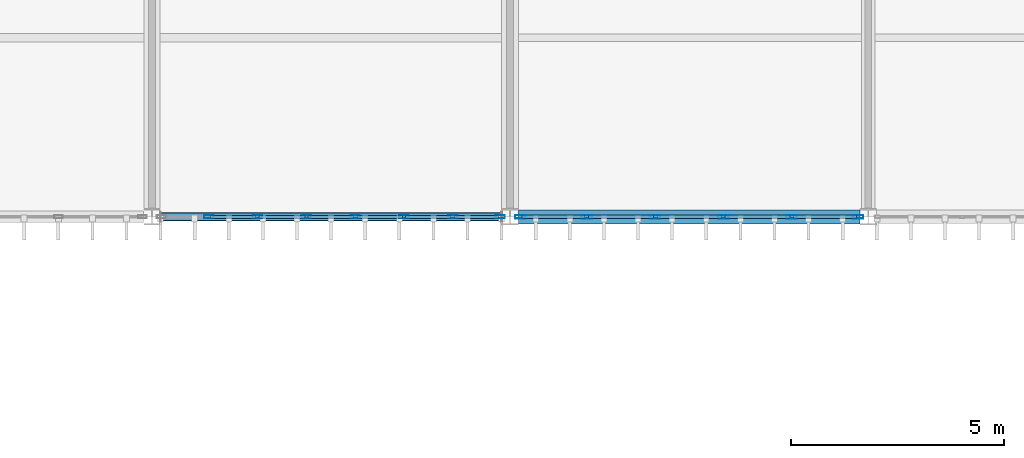
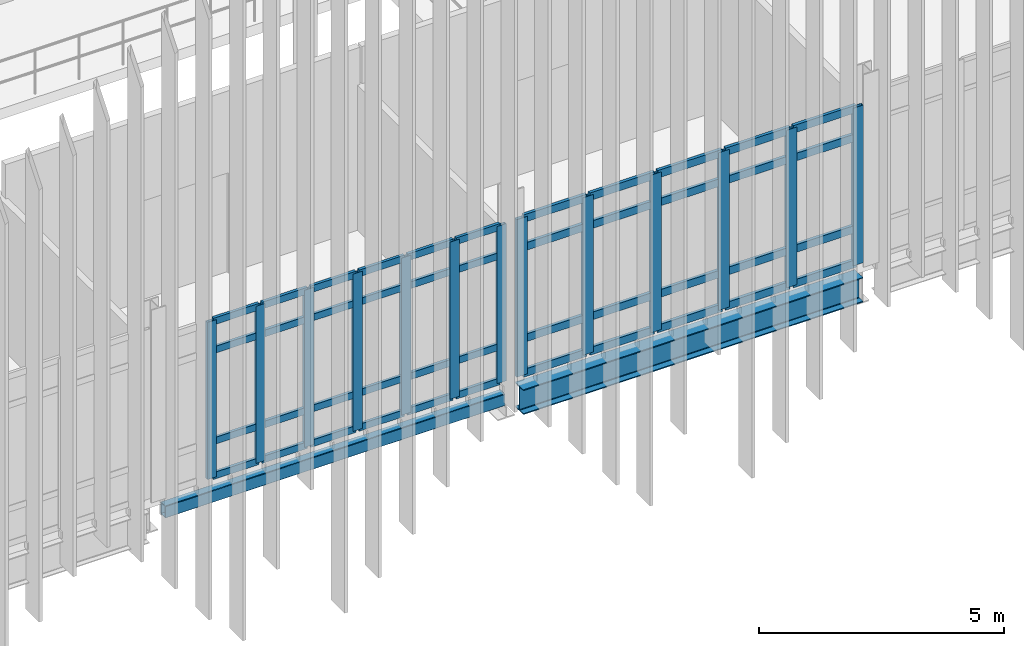
# One storey, part 21 of 153: 57 members, 2 beams, 2 elements without a shape of their own.
"""IFC4 building model written with IfcOpenShell, lengths in metres."""

from ifc_helpers import new_model, si_unit, direction, frame, origin, origin_2d, place, context, subcontext, project, spatial, hollow_rectangle, i_section, extrude, material, layer, layer_set, material_profile, profile_set, type_object, element, aggregate, save


model = new_model("IFC4")

# Units and contexts
model_context = context("Model", 3, precision=1e-05, world=origin(), true_north=direction((0.0, 1.0)))
body_context = subcontext(model_context, "Body", "Model", "MODEL_VIEW")
ifc_project = project(units=[si_unit("LENGTHUNIT", "METRE"), si_unit("AREAUNIT", "SQUARE_METRE"), si_unit("VOLUMEUNIT", "CUBIC_METRE"), si_unit("PLANEANGLEUNIT", "RADIAN"), si_unit("MASSUNIT", "GRAM", prefix="KILO")], contexts=[model_context])

# Site, building, storey
site_placement = place(None, origin())
site = spatial("IfcSite", under=ifc_project, at=site_placement, CompositionType="ELEMENT")
building_placement = place(site_placement, origin())
building = spatial("IfcBuilding", under=site, at=building_placement, Name="Calvrana Isthmian Art Gallery", CompositionType="ELEMENT")
storey_placement = place(building_placement, frame((0.0, 0.0, 10.199951171875)))
storey = spatial("IfcBuildingStorey", under=building, at=storey_placement, Name="L02", CompositionType="ELEMENT", Elevation=10.199951171875)

# Beams
ifc_material_1 = material(Name="Steel ASTM A992 Gr 50", Category="steel")
ifc_material_profile_1 = material_profile(ifc_material_1, i_section(OverallWidth=0.327880859375, OverallDepth=0.6220703125, WebThickness=0.015380859375, FlangeThickness=0.0244140625, FilletRadius=0.02197265625, at=origin_2d()), Name="W24X131")
ifc_profile_set_1 = profile_set([ifc_material_profile_1], Name="Steel ASTM A992 Gr 50")
beam_type_1 = type_object("IfcBeamType", Name="BM-G-W24X131", PredefinedType="BEAM", material=ifc_profile_set_1)
beam_1_placement = place(storey_placement, frame((55.39794921875, 21.60009765625, -0.575927734375), z_axis=(1.0, 0.0, 0.0), x_axis=(0.0, 1.0, 0.0)))
element("IfcBeam", 1, at=beam_1_placement, inside=storey, type_object=beam_type_1, Name="Girder X L02 08-09/D", PredefinedType="BEAM", context=body_context, shape_type="SweptSolid", body=[
    extrude(i_section(OverallWidth=0.327880859375, OverallDepth=0.6220703125, WebThickness=0.015380859375, FlangeThickness=0.0244140625, FilletRadius=0.02197265625, at=origin_2d()), origin(), (0.0, 0.0, 1.0), 8.005126953125),
])
ifc_material_2 = material(Name="Steel ASTM A500 Gr C", Category="steel")
ifc_material_profile_2 = material_profile(ifc_material_2, hollow_rectangle(XDim=0.203125, YDim=0.3046875, WallThickness=0.0126953125, OuterFilletRadius=0.02490234375, at=origin_2d()), Name="HSS305X203X12.7")
ifc_profile_set_2 = profile_set([ifc_material_profile_2], Name="Steel ASTM A500 Gr C")
beam_type_2 = type_object("IfcBeamType", Name="BM-SP-HSS305", PredefinedType="SPANDREL", material=ifc_profile_set_2)
beam_2_placement = place(storey_placement, frame((46.99951171875, 21.60009765625, -0.417236328125), z_axis=(1.0, 0.0, 0.0), x_axis=(0.0, 1.0, 0.0)))
element("IfcBeam", 2, at=beam_2_placement, inside=storey, type_object=beam_type_2, Name="Girder X L02 07-08/D", PredefinedType="SPANDREL", context=body_context, shape_type="SweptSolid", body=[
    extrude(hollow_rectangle(XDim=0.203125, YDim=0.3046875, WallThickness=0.0126953125, OuterFilletRadius=0.02490234375, at=origin_2d()), origin(), (0.0, 0.0, 1.0), 8.00244140625),
])

# Curtain wall, members
ifc_material_3 = material(Name="Anodized bronze aluminium 6063-T6", Category="aluminium")
ifc_layer = layer(ifc_material_3, 0.179931640625, Name="Anodized bronze aluminium 6063-T6")
ifc_layer_set = layer_set([ifc_layer], Name="Anodized bronze aluminium 6063-T6")
curtain_wall_type = type_object("IfcCurtainWallType", Name="CW-STICK-080X39", PredefinedType="NOTDEFINED", material=ifc_layer_set)
curtain_wall_1_placement = place(storey_placement, origin())
curtain_wall_1 = element("IfcCurtainWall", 3, at=curtain_wall_1_placement, inside=storey, type_object=curtain_wall_type, Name="Curtain wall CW-148", PredefinedType="NOTDEFINED")
ifc_material_profile_3 = material_profile(ifc_material_3, hollow_rectangle(XDim=0.074951171875, YDim=0.219970703125, WallThickness=0.0048828125, at=origin_2d()), Name="CWM75X220")
ifc_profile_set_3 = profile_set([ifc_material_profile_3], Name="Anodized bronze aluminium 6063-T6")
member_type_1 = type_object("IfcMemberType", Name="CWM-CWM75X220", PredefinedType="MULLION", material=ifc_profile_set_3)
member_1_placement = place(storey_placement, frame((54.962890625, 21.60009765625, 0.0), z_axis=(0.0, 0.0, 1.0), x_axis=(0.0, -1.0, 0.0)))
member_1 = element("IfcMember", 4, at=member_1_placement, type_object=member_type_1, Name="CW-148 mullion 1", PredefinedType="MULLION", context=body_context, shape_type="SweptSolid", body=[
    extrude(hollow_rectangle(XDim=0.074951171875, YDim=0.219970703125, WallThickness=0.0048828125, at=origin_2d()), origin(), (0.0, 0.0, 1.0), 3.91796875),
])
member_2_placement = place(storey_placement, frame((53.855712890625, 21.60009765625, 0.0), z_axis=(0.0, 0.0, 1.0), x_axis=(0.0, -1.0, 0.0)))
member_2 = element("IfcMember", 5, at=member_2_placement, type_object=member_type_1, Name="CW-148 mullion 2", PredefinedType="MULLION", context=body_context, shape_type="SweptSolid", body=[
    extrude(hollow_rectangle(XDim=0.074951171875, YDim=0.219970703125, WallThickness=0.0048828125, at=origin_2d()), origin(), (0.0, 0.0, 1.0), 3.91796875),
])
member_3_placement = place(storey_placement, frame((52.710693359375, 21.60009765625, 0.0), z_axis=(0.0, 0.0, 1.0), x_axis=(0.0, -1.0, 0.0)))
member_3 = element("IfcMember", 6, at=member_3_placement, type_object=member_type_1, Name="CW-148 mullion 3", PredefinedType="MULLION", context=body_context, shape_type="SweptSolid", body=[
    extrude(hollow_rectangle(XDim=0.074951171875, YDim=0.219970703125, WallThickness=0.0048828125, at=origin_2d()), origin(), (0.0, 0.0, 1.0), 3.91796875),
])
member_4_placement = place(storey_placement, frame((51.56591796875, 21.60009765625, 0.0), z_axis=(0.0, 0.0, 1.0), x_axis=(0.0, -1.0, 0.0)))
member_4 = element("IfcMember", 7, at=member_4_placement, type_object=member_type_1, Name="CW-148 mullion 4", PredefinedType="MULLION", context=body_context, shape_type="SweptSolid", body=[
    extrude(hollow_rectangle(XDim=0.074951171875, YDim=0.219970703125, WallThickness=0.0048828125, at=origin_2d()), origin(), (0.0, 0.0, 1.0), 3.91796875),
])
member_5_placement = place(storey_placement, frame((50.421142578125, 21.60009765625, 0.0), z_axis=(0.0, 0.0, 1.0), x_axis=(0.0, -1.0, 0.0)))
member_5 = element("IfcMember", 8, at=member_5_placement, type_object=member_type_1, Name="CW-148 mullion 5", PredefinedType="MULLION", context=body_context, shape_type="SweptSolid", body=[
    extrude(hollow_rectangle(XDim=0.074951171875, YDim=0.219970703125, WallThickness=0.0048828125, at=origin_2d()), origin(), (0.0, 0.0, 1.0), 3.91796875),
])
member_6_placement = place(storey_placement, frame((49.276123046875, 21.60009765625, 0.0), z_axis=(0.0, 0.0, 1.0), x_axis=(0.0, -1.0, 0.0)))
member_6 = element("IfcMember", 9, at=member_6_placement, type_object=member_type_1, Name="CW-148 mullion 6", PredefinedType="MULLION", context=body_context, shape_type="SweptSolid", body=[
    extrude(hollow_rectangle(XDim=0.074951171875, YDim=0.219970703125, WallThickness=0.0048828125, at=origin_2d()), origin(), (0.0, 0.0, 1.0), 3.91796875),
])
member_7_placement = place(storey_placement, frame((48.13134765625, 21.60009765625, 0.0), z_axis=(0.0, 0.0, 1.0), x_axis=(0.0, -1.0, 0.0)))
member_7 = element("IfcMember", 10, at=member_7_placement, type_object=member_type_1, Name="CW-148 mullion 7", PredefinedType="MULLION", context=body_context, shape_type="SweptSolid", body=[
    extrude(hollow_rectangle(XDim=0.074951171875, YDim=0.219970703125, WallThickness=0.0048828125, at=origin_2d()), origin(), (0.0, 0.0, 1.0), 3.91796875),
])

curtain_wall_2_placement = place(storey_placement, origin())
curtain_wall_2 = element("IfcCurtainWall", 11, at=curtain_wall_2_placement, inside=storey, type_object=curtain_wall_type, Name="Curtain wall CW-149", PredefinedType="NOTDEFINED")
ifc_material_profile_4 = material_profile(ifc_material_3, hollow_rectangle(XDim=0.080078125, YDim=0.25, WallThickness=0.005615234375, at=origin_2d()), Name="CWM80X250")
ifc_profile_set_4 = profile_set([ifc_material_profile_4], Name="Anodized bronze aluminium 6063-T6")
member_type_2 = type_object("IfcMemberType", Name="CWM-CWM80X250", PredefinedType="MULLION", material=ifc_profile_set_4)
member_8_placement = place(storey_placement, frame((63.362060546875, 21.60009765625, 0.0), z_axis=(0.0, 0.0, 1.0), x_axis=(0.0, -1.0, 0.0)))
member_8 = element("IfcMember", 12, at=member_8_placement, type_object=member_type_2, Name="CW-149 mullion 1", PredefinedType="MULLION", context=body_context, shape_type="SweptSolid", body=[
    extrude(hollow_rectangle(XDim=0.080078125, YDim=0.25, WallThickness=0.005615234375, at=origin_2d()), origin(), (0.0, 0.0, 1.0), 3.927978515625),
])
member_9_placement = place(storey_placement, frame((61.801513671875, 21.60009765625, 0.0), z_axis=(0.0, 0.0, 1.0), x_axis=(0.0, -1.0, 0.0)))
member_9 = element("IfcMember", 13, at=member_9_placement, type_object=member_type_2, Name="CW-149 mullion 2", PredefinedType="MULLION", context=body_context, shape_type="SweptSolid", body=[
    extrude(hollow_rectangle(XDim=0.080078125, YDim=0.25, WallThickness=0.005615234375, at=origin_2d()), origin(), (0.0, 0.0, 1.0), 3.927978515625),
])
member_10_placement = place(storey_placement, frame((60.200927734375, 21.60009765625, 0.0), z_axis=(0.0, 0.0, 1.0), x_axis=(0.0, -1.0, 0.0)))
member_10 = element("IfcMember", 14, at=member_10_placement, type_object=member_type_2, Name="CW-149 mullion 3", PredefinedType="MULLION", context=body_context, shape_type="SweptSolid", body=[
    extrude(hollow_rectangle(XDim=0.080078125, YDim=0.25, WallThickness=0.005615234375, at=origin_2d()), origin(), (0.0, 0.0, 1.0), 3.927978515625),
])
member_11_placement = place(storey_placement, frame((58.6005859375, 21.60009765625, 0.0), z_axis=(0.0, 0.0, 1.0), x_axis=(0.0, -1.0, 0.0)))
member_11 = element("IfcMember", 15, at=member_11_placement, type_object=member_type_2, Name="CW-149 mullion 4", PredefinedType="MULLION", context=body_context, shape_type="SweptSolid", body=[
    extrude(hollow_rectangle(XDim=0.080078125, YDim=0.25, WallThickness=0.005615234375, at=origin_2d()), origin(), (0.0, 0.0, 1.0), 3.927978515625),
])
member_12_placement = place(storey_placement, frame((57.0, 21.60009765625, 0.0), z_axis=(0.0, 0.0, 1.0), x_axis=(0.0, -1.0, 0.0)))
member_12 = element("IfcMember", 16, at=member_12_placement, type_object=member_type_2, Name="CW-149 mullion 5", PredefinedType="MULLION", context=body_context, shape_type="SweptSolid", body=[
    extrude(hollow_rectangle(XDim=0.080078125, YDim=0.25, WallThickness=0.005615234375, at=origin_2d()), origin(), (0.0, 0.0, 1.0), 3.927978515625),
])
member_13_placement = place(storey_placement, frame((55.439453125, 21.60009765625, 0.0), z_axis=(0.0, 0.0, 1.0), x_axis=(0.0, -1.0, 0.0)))
member_13 = element("IfcMember", 17, at=member_13_placement, type_object=member_type_2, Name="CW-149 mullion 6", PredefinedType="MULLION", context=body_context, shape_type="SweptSolid", body=[
    extrude(hollow_rectangle(XDim=0.080078125, YDim=0.25, WallThickness=0.005615234375, at=origin_2d()), origin(), (0.0, 0.0, 1.0), 3.927978515625),
])

# Member
ifc_material_profile_5 = material_profile(ifc_material_3, hollow_rectangle(XDim=0.070068359375, YDim=0.169921875, WallThickness=0.00439453125, at=origin_2d()), Name="CWT70X170")
ifc_profile_set_5 = profile_set([ifc_material_profile_5], Name="Anodized bronze aluminium 6063-T6")
member_type_3 = type_object("IfcMemberType", Name="CWT-CWT70X170", PredefinedType="USERDEFINED", material=ifc_profile_set_5)
member_14_placement = place(storey_placement, frame((54.925537109375, 21.60009765625, 0.03515625), z_axis=(-1.0, 0.0, 0.0), x_axis=(0.0, -1.0, 0.0)))
member_14 = element("IfcMember", 18, at=member_14_placement, type_object=member_type_3, Name="CW-148 transom 1.1", ObjectType="TRANSOM", PredefinedType="USERDEFINED", context=body_context, shape_type="SweptSolid", body=[
    extrude(hollow_rectangle(XDim=0.070068359375, YDim=0.169921875, WallThickness=0.00439453125, at=origin_2d()), origin(), (0.0, 0.0, 1.0), 1.032470703125),
])

member_15_placement = place(storey_placement, frame((54.925537109375, 21.60009765625, 0.900146484375), z_axis=(-1.0, 0.0, 0.0), x_axis=(0.0, -1.0, 0.0)))
member_15 = element("IfcMember", 19, at=member_15_placement, type_object=member_type_3, Name="CW-148 transom 1.2", ObjectType="TRANSOM", PredefinedType="USERDEFINED", context=body_context, shape_type="SweptSolid", body=[
    extrude(hollow_rectangle(XDim=0.070068359375, YDim=0.169921875, WallThickness=0.00439453125, at=origin_2d()), origin(), (0.0, 0.0, 1.0), 1.032470703125),
])

member_16_placement = place(storey_placement, frame((54.925537109375, 21.60009765625, 3.16796875), z_axis=(-1.0, 0.0, 0.0), x_axis=(0.0, -1.0, 0.0)))
member_16 = element("IfcMember", 20, at=member_16_placement, type_object=member_type_3, Name="CW-148 transom 1.3", ObjectType="TRANSOM", PredefinedType="USERDEFINED", context=body_context, shape_type="SweptSolid", body=[
    extrude(hollow_rectangle(XDim=0.070068359375, YDim=0.169921875, WallThickness=0.00439453125, at=origin_2d()), origin(), (0.0, 0.0, 1.0), 1.032470703125),
])

member_17_placement = place(storey_placement, frame((54.925537109375, 21.60009765625, 3.883056640625), z_axis=(-1.0, 0.0, 0.0), x_axis=(0.0, -1.0, 0.0)))
member_17 = element("IfcMember", 21, at=member_17_placement, type_object=member_type_3, Name="CW-148 transom 1.4", ObjectType="TRANSOM", PredefinedType="USERDEFINED", context=body_context, shape_type="SweptSolid", body=[
    extrude(hollow_rectangle(XDim=0.070068359375, YDim=0.169921875, WallThickness=0.00439453125, at=origin_2d()), origin(), (0.0, 0.0, 1.0), 1.032470703125),
])

member_18_placement = place(storey_placement, frame((53.818115234375, 21.60009765625, 0.03515625), z_axis=(-1.0, 0.0, 0.0), x_axis=(0.0, -1.0, 0.0)))
member_18 = element("IfcMember", 22, at=member_18_placement, type_object=member_type_3, Name="CW-148 transom 2.1", ObjectType="TRANSOM", PredefinedType="USERDEFINED", context=body_context, shape_type="SweptSolid", body=[
    extrude(hollow_rectangle(XDim=0.070068359375, YDim=0.169921875, WallThickness=0.00439453125, at=origin_2d()), origin(), (0.0, 0.0, 1.0), 1.06982421875),
])

member_19_placement = place(storey_placement, frame((53.818115234375, 21.60009765625, 0.900146484375), z_axis=(-1.0, 0.0, 0.0), x_axis=(0.0, -1.0, 0.0)))
member_19 = element("IfcMember", 23, at=member_19_placement, type_object=member_type_3, Name="CW-148 transom 2.2", ObjectType="TRANSOM", PredefinedType="USERDEFINED", context=body_context, shape_type="SweptSolid", body=[
    extrude(hollow_rectangle(XDim=0.070068359375, YDim=0.169921875, WallThickness=0.00439453125, at=origin_2d()), origin(), (0.0, 0.0, 1.0), 1.06982421875),
])

member_20_placement = place(storey_placement, frame((53.818115234375, 21.60009765625, 3.16796875), z_axis=(-1.0, 0.0, 0.0), x_axis=(0.0, -1.0, 0.0)))
member_20 = element("IfcMember", 24, at=member_20_placement, type_object=member_type_3, Name="CW-148 transom 2.3", ObjectType="TRANSOM", PredefinedType="USERDEFINED", context=body_context, shape_type="SweptSolid", body=[
    extrude(hollow_rectangle(XDim=0.070068359375, YDim=0.169921875, WallThickness=0.00439453125, at=origin_2d()), origin(), (0.0, 0.0, 1.0), 1.06982421875),
])

member_21_placement = place(storey_placement, frame((53.818115234375, 21.60009765625, 3.883056640625), z_axis=(-1.0, 0.0, 0.0), x_axis=(0.0, -1.0, 0.0)))
member_21 = element("IfcMember", 25, at=member_21_placement, type_object=member_type_3, Name="CW-148 transom 2.4", ObjectType="TRANSOM", PredefinedType="USERDEFINED", context=body_context, shape_type="SweptSolid", body=[
    extrude(hollow_rectangle(XDim=0.070068359375, YDim=0.169921875, WallThickness=0.00439453125, at=origin_2d()), origin(), (0.0, 0.0, 1.0), 1.06982421875),
])

member_22_placement = place(storey_placement, frame((52.67333984375, 21.60009765625, 0.03515625), z_axis=(-1.0, 0.0, 0.0), x_axis=(0.0, -1.0, 0.0)))
member_22 = element("IfcMember", 26, at=member_22_placement, type_object=member_type_3, Name="CW-148 transom 3.1", ObjectType="TRANSOM", PredefinedType="USERDEFINED", context=body_context, shape_type="SweptSolid", body=[
    extrude(hollow_rectangle(XDim=0.070068359375, YDim=0.169921875, WallThickness=0.00439453125, at=origin_2d()), origin(), (0.0, 0.0, 1.0), 1.06982421875),
])

member_23_placement = place(storey_placement, frame((52.67333984375, 21.60009765625, 0.900146484375), z_axis=(-1.0, 0.0, 0.0), x_axis=(0.0, -1.0, 0.0)))
member_23 = element("IfcMember", 27, at=member_23_placement, type_object=member_type_3, Name="CW-148 transom 3.2", ObjectType="TRANSOM", PredefinedType="USERDEFINED", context=body_context, shape_type="SweptSolid", body=[
    extrude(hollow_rectangle(XDim=0.070068359375, YDim=0.169921875, WallThickness=0.00439453125, at=origin_2d()), origin(), (0.0, 0.0, 1.0), 1.06982421875),
])

member_24_placement = place(storey_placement, frame((52.67333984375, 21.60009765625, 3.16796875), z_axis=(-1.0, 0.0, 0.0), x_axis=(0.0, -1.0, 0.0)))
member_24 = element("IfcMember", 28, at=member_24_placement, type_object=member_type_3, Name="CW-148 transom 3.3", ObjectType="TRANSOM", PredefinedType="USERDEFINED", context=body_context, shape_type="SweptSolid", body=[
    extrude(hollow_rectangle(XDim=0.070068359375, YDim=0.169921875, WallThickness=0.00439453125, at=origin_2d()), origin(), (0.0, 0.0, 1.0), 1.06982421875),
])

member_25_placement = place(storey_placement, frame((52.67333984375, 21.60009765625, 3.883056640625), z_axis=(-1.0, 0.0, 0.0), x_axis=(0.0, -1.0, 0.0)))
member_25 = element("IfcMember", 29, at=member_25_placement, type_object=member_type_3, Name="CW-148 transom 3.4", ObjectType="TRANSOM", PredefinedType="USERDEFINED", context=body_context, shape_type="SweptSolid", body=[
    extrude(hollow_rectangle(XDim=0.070068359375, YDim=0.169921875, WallThickness=0.00439453125, at=origin_2d()), origin(), (0.0, 0.0, 1.0), 1.06982421875),
])

member_26_placement = place(storey_placement, frame((51.5283203125, 21.60009765625, 0.03515625), z_axis=(-1.0, 0.0, 0.0), x_axis=(0.0, -1.0, 0.0)))
member_26 = element("IfcMember", 30, at=member_26_placement, type_object=member_type_3, Name="CW-148 transom 4.1", ObjectType="TRANSOM", PredefinedType="USERDEFINED", context=body_context, shape_type="SweptSolid", body=[
    extrude(hollow_rectangle(XDim=0.070068359375, YDim=0.169921875, WallThickness=0.00439453125, at=origin_2d()), origin(), (0.0, 0.0, 1.0), 1.06982421875),
])

member_27_placement = place(storey_placement, frame((51.5283203125, 21.60009765625, 0.900146484375), z_axis=(-1.0, 0.0, 0.0), x_axis=(0.0, -1.0, 0.0)))
member_27 = element("IfcMember", 31, at=member_27_placement, type_object=member_type_3, Name="CW-148 transom 4.2", ObjectType="TRANSOM", PredefinedType="USERDEFINED", context=body_context, shape_type="SweptSolid", body=[
    extrude(hollow_rectangle(XDim=0.070068359375, YDim=0.169921875, WallThickness=0.00439453125, at=origin_2d()), origin(), (0.0, 0.0, 1.0), 1.06982421875),
])

member_28_placement = place(storey_placement, frame((51.5283203125, 21.60009765625, 3.16796875), z_axis=(-1.0, 0.0, 0.0), x_axis=(0.0, -1.0, 0.0)))
member_28 = element("IfcMember", 32, at=member_28_placement, type_object=member_type_3, Name="CW-148 transom 4.3", ObjectType="TRANSOM", PredefinedType="USERDEFINED", context=body_context, shape_type="SweptSolid", body=[
    extrude(hollow_rectangle(XDim=0.070068359375, YDim=0.169921875, WallThickness=0.00439453125, at=origin_2d()), origin(), (0.0, 0.0, 1.0), 1.06982421875),
])

member_29_placement = place(storey_placement, frame((51.5283203125, 21.60009765625, 3.883056640625), z_axis=(-1.0, 0.0, 0.0), x_axis=(0.0, -1.0, 0.0)))
member_29 = element("IfcMember", 33, at=member_29_placement, type_object=member_type_3, Name="CW-148 transom 4.4", ObjectType="TRANSOM", PredefinedType="USERDEFINED", context=body_context, shape_type="SweptSolid", body=[
    extrude(hollow_rectangle(XDim=0.070068359375, YDim=0.169921875, WallThickness=0.00439453125, at=origin_2d()), origin(), (0.0, 0.0, 1.0), 1.06982421875),
])

member_30_placement = place(storey_placement, frame((50.383544921875, 21.60009765625, 0.03515625), z_axis=(-1.0, 0.0, 0.0), x_axis=(0.0, -1.0, 0.0)))
member_30 = element("IfcMember", 34, at=member_30_placement, type_object=member_type_3, Name="CW-148 transom 5.1", ObjectType="TRANSOM", PredefinedType="USERDEFINED", context=body_context, shape_type="SweptSolid", body=[
    extrude(hollow_rectangle(XDim=0.070068359375, YDim=0.169921875, WallThickness=0.00439453125, at=origin_2d()), origin(), (0.0, 0.0, 1.0), 1.06982421875),
])

member_31_placement = place(storey_placement, frame((50.383544921875, 21.60009765625, 0.900146484375), z_axis=(-1.0, 0.0, 0.0), x_axis=(0.0, -1.0, 0.0)))
member_31 = element("IfcMember", 35, at=member_31_placement, type_object=member_type_3, Name="CW-148 transom 5.2", ObjectType="TRANSOM", PredefinedType="USERDEFINED", context=body_context, shape_type="SweptSolid", body=[
    extrude(hollow_rectangle(XDim=0.070068359375, YDim=0.169921875, WallThickness=0.00439453125, at=origin_2d()), origin(), (0.0, 0.0, 1.0), 1.06982421875),
])

member_32_placement = place(storey_placement, frame((50.383544921875, 21.60009765625, 3.16796875), z_axis=(-1.0, 0.0, 0.0), x_axis=(0.0, -1.0, 0.0)))
member_32 = element("IfcMember", 36, at=member_32_placement, type_object=member_type_3, Name="CW-148 transom 5.3", ObjectType="TRANSOM", PredefinedType="USERDEFINED", context=body_context, shape_type="SweptSolid", body=[
    extrude(hollow_rectangle(XDim=0.070068359375, YDim=0.169921875, WallThickness=0.00439453125, at=origin_2d()), origin(), (0.0, 0.0, 1.0), 1.06982421875),
])

member_33_placement = place(storey_placement, frame((50.383544921875, 21.60009765625, 3.883056640625), z_axis=(-1.0, 0.0, 0.0), x_axis=(0.0, -1.0, 0.0)))
member_33 = element("IfcMember", 37, at=member_33_placement, type_object=member_type_3, Name="CW-148 transom 5.4", ObjectType="TRANSOM", PredefinedType="USERDEFINED", context=body_context, shape_type="SweptSolid", body=[
    extrude(hollow_rectangle(XDim=0.070068359375, YDim=0.169921875, WallThickness=0.00439453125, at=origin_2d()), origin(), (0.0, 0.0, 1.0), 1.06982421875),
])

member_34_placement = place(storey_placement, frame((49.23876953125, 21.60009765625, 0.03515625), z_axis=(-1.0, 0.0, 0.0), x_axis=(0.0, -1.0, 0.0)))
member_34 = element("IfcMember", 38, at=member_34_placement, type_object=member_type_3, Name="CW-148 transom 6.1", ObjectType="TRANSOM", PredefinedType="USERDEFINED", context=body_context, shape_type="SweptSolid", body=[
    extrude(hollow_rectangle(XDim=0.070068359375, YDim=0.169921875, WallThickness=0.00439453125, at=origin_2d()), origin(), (0.0, 0.0, 1.0), 1.06982421875),
])

member_35_placement = place(storey_placement, frame((49.23876953125, 21.60009765625, 0.900146484375), z_axis=(-1.0, 0.0, 0.0), x_axis=(0.0, -1.0, 0.0)))
member_35 = element("IfcMember", 39, at=member_35_placement, type_object=member_type_3, Name="CW-148 transom 6.2", ObjectType="TRANSOM", PredefinedType="USERDEFINED", context=body_context, shape_type="SweptSolid", body=[
    extrude(hollow_rectangle(XDim=0.070068359375, YDim=0.169921875, WallThickness=0.00439453125, at=origin_2d()), origin(), (0.0, 0.0, 1.0), 1.06982421875),
])

member_36_placement = place(storey_placement, frame((49.23876953125, 21.60009765625, 3.16796875), z_axis=(-1.0, 0.0, 0.0), x_axis=(0.0, -1.0, 0.0)))
member_36 = element("IfcMember", 40, at=member_36_placement, type_object=member_type_3, Name="CW-148 transom 6.3", ObjectType="TRANSOM", PredefinedType="USERDEFINED", context=body_context, shape_type="SweptSolid", body=[
    extrude(hollow_rectangle(XDim=0.070068359375, YDim=0.169921875, WallThickness=0.00439453125, at=origin_2d()), origin(), (0.0, 0.0, 1.0), 1.06982421875),
])

member_37_placement = place(storey_placement, frame((49.23876953125, 21.60009765625, 3.883056640625), z_axis=(-1.0, 0.0, 0.0), x_axis=(0.0, -1.0, 0.0)))
member_37 = element("IfcMember", 41, at=member_37_placement, type_object=member_type_3, Name="CW-148 transom 6.4", ObjectType="TRANSOM", PredefinedType="USERDEFINED", context=body_context, shape_type="SweptSolid", body=[
    extrude(hollow_rectangle(XDim=0.070068359375, YDim=0.169921875, WallThickness=0.00439453125, at=origin_2d()), origin(), (0.0, 0.0, 1.0), 1.06982421875),
])

aggregate(curtain_wall_1, [member_1, member_2, member_3, member_4, member_5, member_6, member_7, member_14, member_15, member_16, member_17, member_18, member_19, member_20, member_21, member_22, member_23, member_24, member_25, member_26, member_27, member_28, member_29, member_30, member_31, member_32, member_33, member_34, member_35, member_36, member_37])

ifc_material_profile_6 = material_profile(ifc_material_3, hollow_rectangle(XDim=0.074951171875, YDim=0.18994140625, WallThickness=0.00439453125, at=origin_2d()), Name="CWT75X190")
ifc_profile_set_6 = profile_set([ifc_material_profile_6], Name="Anodized bronze aluminium 6063-T6")
member_type_4 = type_object("IfcMemberType", Name="CWT-CWT75X190", PredefinedType="USERDEFINED", material=ifc_profile_set_6)
member_38_placement = place(storey_placement, frame((63.322021484375, 21.60009765625, 0.03759765625), z_axis=(-1.0, 0.0, 0.0), x_axis=(0.0, -1.0, 0.0)))
member_38 = element("IfcMember", 42, at=member_38_placement, type_object=member_type_4, Name="CW-149 transom 1.1", ObjectType="TRANSOM", PredefinedType="USERDEFINED", context=body_context, shape_type="SweptSolid", body=[
    extrude(hollow_rectangle(XDim=0.074951171875, YDim=0.18994140625, WallThickness=0.00439453125, at=origin_2d()), origin(), (0.0, 0.0, 1.0), 1.48046875),
])

member_39_placement = place(storey_placement, frame((63.322021484375, 21.60009765625, 0.900146484375), z_axis=(-1.0, 0.0, 0.0), x_axis=(0.0, -1.0, 0.0)))
member_39 = element("IfcMember", 43, at=member_39_placement, type_object=member_type_4, Name="CW-149 transom 1.2", ObjectType="TRANSOM", PredefinedType="USERDEFINED", context=body_context, shape_type="SweptSolid", body=[
    extrude(hollow_rectangle(XDim=0.074951171875, YDim=0.18994140625, WallThickness=0.00439453125, at=origin_2d()), origin(), (0.0, 0.0, 1.0), 1.48046875),
])

member_40_placement = place(storey_placement, frame((63.322021484375, 21.60009765625, 3.177978515625), z_axis=(-1.0, 0.0, 0.0), x_axis=(0.0, -1.0, 0.0)))
member_40 = element("IfcMember", 44, at=member_40_placement, type_object=member_type_4, Name="CW-149 transom 1.3", ObjectType="TRANSOM", PredefinedType="USERDEFINED", context=body_context, shape_type="SweptSolid", body=[
    extrude(hollow_rectangle(XDim=0.074951171875, YDim=0.18994140625, WallThickness=0.00439453125, at=origin_2d()), origin(), (0.0, 0.0, 1.0), 1.48046875),
])

member_41_placement = place(storey_placement, frame((63.322021484375, 21.60009765625, 3.890625), z_axis=(-1.0, 0.0, 0.0), x_axis=(0.0, -1.0, 0.0)))
member_41 = element("IfcMember", 45, at=member_41_placement, type_object=member_type_4, Name="CW-149 transom 1.4", ObjectType="TRANSOM", PredefinedType="USERDEFINED", context=body_context, shape_type="SweptSolid", body=[
    extrude(hollow_rectangle(XDim=0.074951171875, YDim=0.18994140625, WallThickness=0.00439453125, at=origin_2d()), origin(), (0.0, 0.0, 1.0), 1.48046875),
])

member_42_placement = place(storey_placement, frame((61.761474609375, 21.60009765625, 0.03759765625), z_axis=(-1.0, 0.0, 0.0), x_axis=(0.0, -1.0, 0.0)))
member_42 = element("IfcMember", 46, at=member_42_placement, type_object=member_type_4, Name="CW-149 transom 2.1", ObjectType="TRANSOM", PredefinedType="USERDEFINED", context=body_context, shape_type="SweptSolid", body=[
    extrude(hollow_rectangle(XDim=0.074951171875, YDim=0.18994140625, WallThickness=0.00439453125, at=origin_2d()), origin(), (0.0, 0.0, 1.0), 1.5205078125),
])

member_43_placement = place(storey_placement, frame((61.761474609375, 21.60009765625, 0.900146484375), z_axis=(-1.0, 0.0, 0.0), x_axis=(0.0, -1.0, 0.0)))
member_43 = element("IfcMember", 47, at=member_43_placement, type_object=member_type_4, Name="CW-149 transom 2.2", ObjectType="TRANSOM", PredefinedType="USERDEFINED", context=body_context, shape_type="SweptSolid", body=[
    extrude(hollow_rectangle(XDim=0.074951171875, YDim=0.18994140625, WallThickness=0.00439453125, at=origin_2d()), origin(), (0.0, 0.0, 1.0), 1.5205078125),
])

member_44_placement = place(storey_placement, frame((61.761474609375, 21.60009765625, 3.177978515625), z_axis=(-1.0, 0.0, 0.0), x_axis=(0.0, -1.0, 0.0)))
member_44 = element("IfcMember", 48, at=member_44_placement, type_object=member_type_4, Name="CW-149 transom 2.3", ObjectType="TRANSOM", PredefinedType="USERDEFINED", context=body_context, shape_type="SweptSolid", body=[
    extrude(hollow_rectangle(XDim=0.074951171875, YDim=0.18994140625, WallThickness=0.00439453125, at=origin_2d()), origin(), (0.0, 0.0, 1.0), 1.5205078125),
])

member_45_placement = place(storey_placement, frame((61.761474609375, 21.60009765625, 3.890625), z_axis=(-1.0, 0.0, 0.0), x_axis=(0.0, -1.0, 0.0)))
member_45 = element("IfcMember", 49, at=member_45_placement, type_object=member_type_4, Name="CW-149 transom 2.4", ObjectType="TRANSOM", PredefinedType="USERDEFINED", context=body_context, shape_type="SweptSolid", body=[
    extrude(hollow_rectangle(XDim=0.074951171875, YDim=0.18994140625, WallThickness=0.00439453125, at=origin_2d()), origin(), (0.0, 0.0, 1.0), 1.5205078125),
])

member_46_placement = place(storey_placement, frame((60.160888671875, 21.60009765625, 0.03759765625), z_axis=(-1.0, 0.0, 0.0), x_axis=(0.0, -1.0, 0.0)))
member_46 = element("IfcMember", 50, at=member_46_placement, type_object=member_type_4, Name="CW-149 transom 3.1", ObjectType="TRANSOM", PredefinedType="USERDEFINED", context=body_context, shape_type="SweptSolid", body=[
    extrude(hollow_rectangle(XDim=0.074951171875, YDim=0.18994140625, WallThickness=0.00439453125, at=origin_2d()), origin(), (0.0, 0.0, 1.0), 1.5205078125),
])

member_47_placement = place(storey_placement, frame((60.160888671875, 21.60009765625, 0.900146484375), z_axis=(-1.0, 0.0, 0.0), x_axis=(0.0, -1.0, 0.0)))
member_47 = element("IfcMember", 51, at=member_47_placement, type_object=member_type_4, Name="CW-149 transom 3.2", ObjectType="TRANSOM", PredefinedType="USERDEFINED", context=body_context, shape_type="SweptSolid", body=[
    extrude(hollow_rectangle(XDim=0.074951171875, YDim=0.18994140625, WallThickness=0.00439453125, at=origin_2d()), origin(), (0.0, 0.0, 1.0), 1.5205078125),
])

member_48_placement = place(storey_placement, frame((60.160888671875, 21.60009765625, 3.177978515625), z_axis=(-1.0, 0.0, 0.0), x_axis=(0.0, -1.0, 0.0)))
member_48 = element("IfcMember", 52, at=member_48_placement, type_object=member_type_4, Name="CW-149 transom 3.3", ObjectType="TRANSOM", PredefinedType="USERDEFINED", context=body_context, shape_type="SweptSolid", body=[
    extrude(hollow_rectangle(XDim=0.074951171875, YDim=0.18994140625, WallThickness=0.00439453125, at=origin_2d()), origin(), (0.0, 0.0, 1.0), 1.5205078125),
])

member_49_placement = place(storey_placement, frame((60.160888671875, 21.60009765625, 3.890625), z_axis=(-1.0, 0.0, 0.0), x_axis=(0.0, -1.0, 0.0)))
member_49 = element("IfcMember", 53, at=member_49_placement, type_object=member_type_4, Name="CW-149 transom 3.4", ObjectType="TRANSOM", PredefinedType="USERDEFINED", context=body_context, shape_type="SweptSolid", body=[
    extrude(hollow_rectangle(XDim=0.074951171875, YDim=0.18994140625, WallThickness=0.00439453125, at=origin_2d()), origin(), (0.0, 0.0, 1.0), 1.5205078125),
])

member_50_placement = place(storey_placement, frame((58.560546875, 21.60009765625, 0.03759765625), z_axis=(-1.0, 0.0, 0.0), x_axis=(0.0, -1.0, 0.0)))
member_50 = element("IfcMember", 54, at=member_50_placement, type_object=member_type_4, Name="CW-149 transom 4.1", ObjectType="TRANSOM", PredefinedType="USERDEFINED", context=body_context, shape_type="SweptSolid", body=[
    extrude(hollow_rectangle(XDim=0.074951171875, YDim=0.18994140625, WallThickness=0.00439453125, at=origin_2d()), origin(), (0.0, 0.0, 1.0), 1.5205078125),
])

member_51_placement = place(storey_placement, frame((58.560546875, 21.60009765625, 0.900146484375), z_axis=(-1.0, 0.0, 0.0), x_axis=(0.0, -1.0, 0.0)))
member_51 = element("IfcMember", 55, at=member_51_placement, type_object=member_type_4, Name="CW-149 transom 4.2", ObjectType="TRANSOM", PredefinedType="USERDEFINED", context=body_context, shape_type="SweptSolid", body=[
    extrude(hollow_rectangle(XDim=0.074951171875, YDim=0.18994140625, WallThickness=0.00439453125, at=origin_2d()), origin(), (0.0, 0.0, 1.0), 1.5205078125),
])

member_52_placement = place(storey_placement, frame((58.560546875, 21.60009765625, 3.177978515625), z_axis=(-1.0, 0.0, 0.0), x_axis=(0.0, -1.0, 0.0)))
member_52 = element("IfcMember", 56, at=member_52_placement, type_object=member_type_4, Name="CW-149 transom 4.3", ObjectType="TRANSOM", PredefinedType="USERDEFINED", context=body_context, shape_type="SweptSolid", body=[
    extrude(hollow_rectangle(XDim=0.074951171875, YDim=0.18994140625, WallThickness=0.00439453125, at=origin_2d()), origin(), (0.0, 0.0, 1.0), 1.5205078125),
])

member_53_placement = place(storey_placement, frame((58.560546875, 21.60009765625, 3.890625), z_axis=(-1.0, 0.0, 0.0), x_axis=(0.0, -1.0, 0.0)))
member_53 = element("IfcMember", 57, at=member_53_placement, type_object=member_type_4, Name="CW-149 transom 4.4", ObjectType="TRANSOM", PredefinedType="USERDEFINED", context=body_context, shape_type="SweptSolid", body=[
    extrude(hollow_rectangle(XDim=0.074951171875, YDim=0.18994140625, WallThickness=0.00439453125, at=origin_2d()), origin(), (0.0, 0.0, 1.0), 1.5205078125),
])

member_54_placement = place(storey_placement, frame((56.9599609375, 21.60009765625, 0.03759765625), z_axis=(-1.0, 0.0, 0.0), x_axis=(0.0, -1.0, 0.0)))
member_54 = element("IfcMember", 58, at=member_54_placement, type_object=member_type_4, Name="CW-149 transom 5.1", ObjectType="TRANSOM", PredefinedType="USERDEFINED", context=body_context, shape_type="SweptSolid", body=[
    extrude(hollow_rectangle(XDim=0.074951171875, YDim=0.18994140625, WallThickness=0.00439453125, at=origin_2d()), origin(), (0.0, 0.0, 1.0), 1.48046875),
])

member_55_placement = place(storey_placement, frame((56.9599609375, 21.60009765625, 0.900146484375), z_axis=(-1.0, 0.0, 0.0), x_axis=(0.0, -1.0, 0.0)))
member_55 = element("IfcMember", 59, at=member_55_placement, type_object=member_type_4, Name="CW-149 transom 5.2", ObjectType="TRANSOM", PredefinedType="USERDEFINED", context=body_context, shape_type="SweptSolid", body=[
    extrude(hollow_rectangle(XDim=0.074951171875, YDim=0.18994140625, WallThickness=0.00439453125, at=origin_2d()), origin(), (0.0, 0.0, 1.0), 1.48046875),
])

member_56_placement = place(storey_placement, frame((56.9599609375, 21.60009765625, 3.177978515625), z_axis=(-1.0, 0.0, 0.0), x_axis=(0.0, -1.0, 0.0)))
member_56 = element("IfcMember", 60, at=member_56_placement, type_object=member_type_4, Name="CW-149 transom 5.3", ObjectType="TRANSOM", PredefinedType="USERDEFINED", context=body_context, shape_type="SweptSolid", body=[
    extrude(hollow_rectangle(XDim=0.074951171875, YDim=0.18994140625, WallThickness=0.00439453125, at=origin_2d()), origin(), (0.0, 0.0, 1.0), 1.48046875),
])

member_57_placement = place(storey_placement, frame((56.9599609375, 21.60009765625, 3.890625), z_axis=(-1.0, 0.0, 0.0), x_axis=(0.0, -1.0, 0.0)))
member_57 = element("IfcMember", 61, at=member_57_placement, type_object=member_type_4, Name="CW-149 transom 5.4", ObjectType="TRANSOM", PredefinedType="USERDEFINED", context=body_context, shape_type="SweptSolid", body=[
    extrude(hollow_rectangle(XDim=0.074951171875, YDim=0.18994140625, WallThickness=0.00439453125, at=origin_2d()), origin(), (0.0, 0.0, 1.0), 1.48046875),
])

aggregate(curtain_wall_2, [member_8, member_9, member_10, member_11, member_12, member_13, member_38, member_39, member_40, member_41, member_42, member_43, member_44, member_45, member_46, member_47, member_48, member_49, member_50, member_51, member_52, member_53, member_54, member_55, member_56, member_57])

save(model, "model.ifc")
